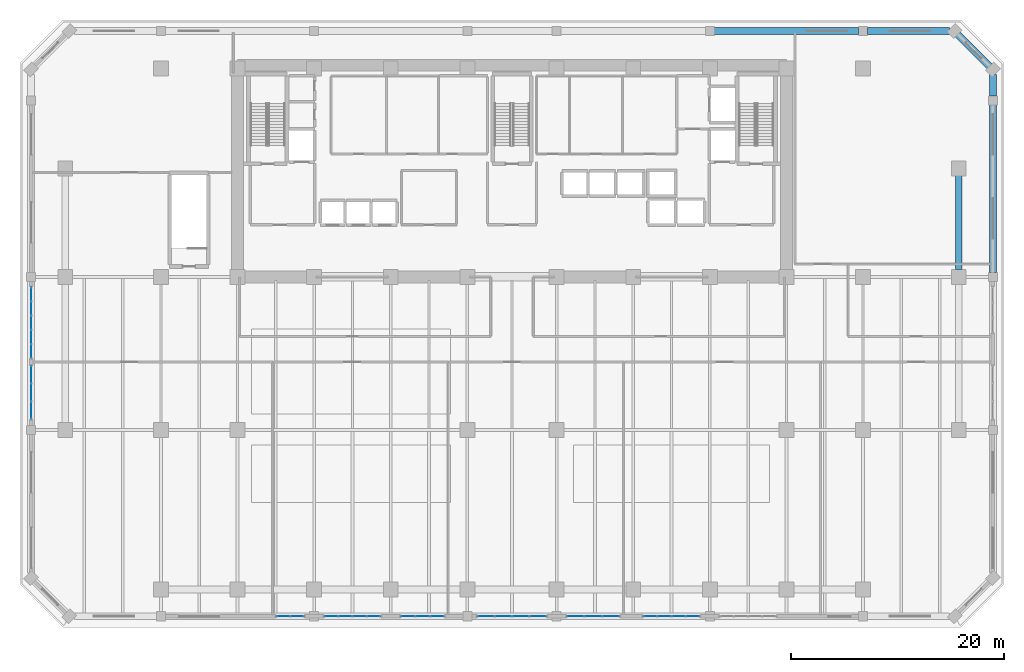
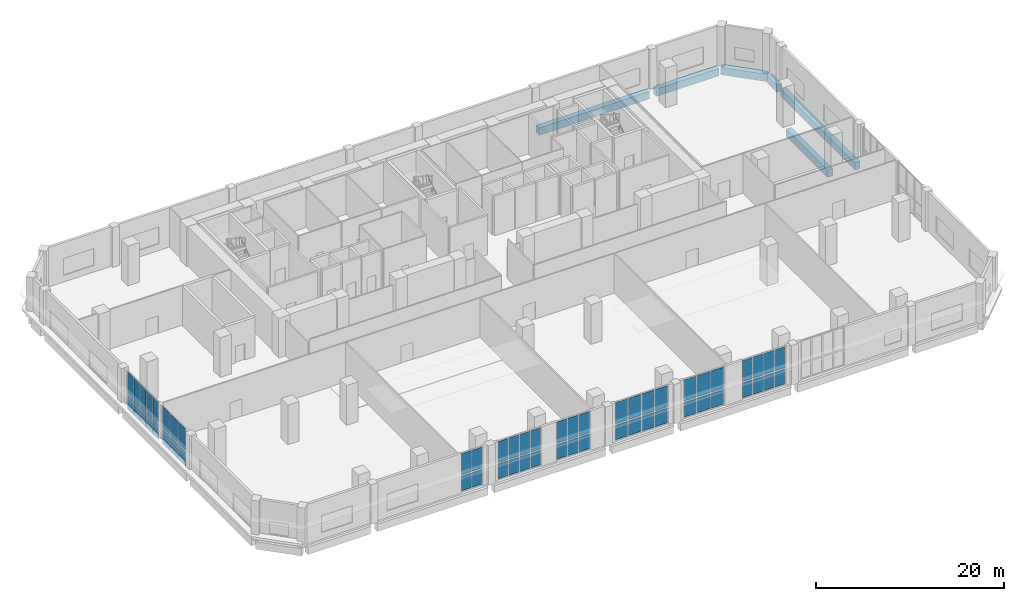
# One storey, part 16 of 25: 56 plates, 6 beams, 8 elements without a shape of their own.
"""IFC4 building model written with IfcOpenShell, lengths in metres."""

from ifc_helpers import new_model, si_unit, direction, frame, origin, origin_2d, place, context, subcontext, project, spatial, rectangle, extrude, material, layer, layer_set, material_profile, profile_set, type_object, element, aggregate, save


model = new_model("IFC4")

# Units and contexts
model_context = context("Model", 3, precision=1e-05, world=origin(), true_north=direction((0.0, 1.0)))
body_context = subcontext(model_context, "Body", "Model", "MODEL_VIEW")
ifc_project = project(units=[si_unit("LENGTHUNIT", "METRE"), si_unit("AREAUNIT", "SQUARE_METRE"), si_unit("VOLUMEUNIT", "CUBIC_METRE"), si_unit("PLANEANGLEUNIT", "RADIAN"), si_unit("MASSUNIT", "GRAM", prefix="KILO")], contexts=[model_context])

# Site, building, storey
site_placement = place(None, origin())
site = spatial("IfcSite", under=ifc_project, at=site_placement, CompositionType="ELEMENT")
building_placement = place(site_placement, origin())
building = spatial("IfcBuilding", under=site, at=building_placement, Name="Kaelvorn Grand Hotel", CompositionType="ELEMENT")
storey_placement = place(building_placement, frame((0.0, 0.0, 26.0)))
storey = spatial("IfcBuildingStorey", under=building, at=storey_placement, Name="L04", CompositionType="ELEMENT", Elevation=26.0)

# Beams
ifc_material_1 = material(Name="Concrete C60/75", Category="concrete")
ifc_material_profile = material_profile(ifc_material_1, rectangle(XDim=0.64990234375, YDim=0.949951171875, at=origin_2d()), Name="RC SPANDREL 650x950")
ifc_profile_set = profile_set([ifc_material_profile], Name="Concrete C60/75")
beam_type = type_object("IfcBeamType", Name="BM-SP-650x950-C60", PredefinedType="SPANDREL", material=ifc_profile_set)
beam_1_placement = place(storey_placement, frame((61.010009765625, 52.5, -0.794921875), z_axis=(1.0, 0.0, 0.0), x_axis=(0.0, 1.0, 0.0)))
element("IfcBeam", 1, at=beam_1_placement, inside=storey, type_object=beam_type, Name="L04 North Perimeter Spandrel 06", PredefinedType="SPANDREL", context=body_context, shape_type="SweptSolid", body=[
    extrude(rectangle(XDim=0.64990234375, YDim=0.949951171875, at=origin_2d()), origin(), (0.0, 0.0, 1.0), 13.580078125),
])
beam_2_placement = place(storey_placement, frame((75.409912109375, 52.5, -0.794921875), z_axis=(1.0, 0.0, 0.0), x_axis=(0.0, 1.0, 0.0)))
element("IfcBeam", 2, at=beam_2_placement, inside=storey, type_object=beam_type, Name="L04 North Perimeter Spandrel 07", PredefinedType="SPANDREL", context=body_context, shape_type="SweptSolid", body=[
    extrude(rectangle(XDim=0.64990234375, YDim=0.949951171875, at=origin_2d()), origin(), (0.0, 0.0, 1.0), 7.705078125),
])
beam_3_placement = place(storey_placement, frame((87.199951171875, 29.81005859375, -0.794921875), z_axis=(0.0, 1.0, 0.0), x_axis=(-1.0, 0.0, 0.0)))
element("IfcBeam", 3, at=beam_3_placement, inside=storey, type_object=beam_type, Name="L04 East Perimeter Spandrel 03", PredefinedType="SPANDREL", context=body_context, shape_type="SweptSolid", body=[
    extrude(rectangle(XDim=0.64990234375, YDim=0.949951171875, at=origin_2d()), origin(), (0.0, 0.0, 1.0), 15.780029296875),
])
beam_4_placement = place(storey_placement, frame((87.199951171875, 46.409912109375, -0.794921875), z_axis=(0.0, 1.0, 0.0), x_axis=(-1.0, 0.0, 0.0)))
element("IfcBeam", 4, at=beam_4_placement, inside=storey, type_object=beam_type, Name="L04 East Perimeter Spandrel 04", PredefinedType="SPANDREL", context=body_context, shape_type="SweptSolid", body=[
    extrude(rectangle(XDim=0.64990234375, YDim=0.949951171875, at=origin_2d()), origin(), (0.0, 0.0, 1.0), 2.005126953125),
])
beam_5_placement = place(storey_placement, frame((87.199951171875, 48.89990234375, -0.794921875), z_axis=(-0.707082803744, 0.707130757816, 0.0), x_axis=(-0.707130757816, -0.707082803744, 0.0)))
element("IfcBeam", 5, at=beam_5_placement, inside=storey, type_object=beam_type, Name="L04 Chamfer Spandrel Beam 2", PredefinedType="SPANDREL", context=body_context, shape_type="SweptSolid", body=[
    extrude(rectangle(XDim=0.64990234375, YDim=0.949951171875, at=origin_2d()), origin(), (0.0, 0.0, 1.0), 5.091064453125),
])
beam_6_placement = place(storey_placement, frame((84.0, 30.0849609375, -0.794921875), z_axis=(0.0, 1.0, 0.0), x_axis=(-1.0, 0.0, 0.0)))
element("IfcBeam", 6, at=beam_6_placement, inside=storey, type_object=beam_type, Name="L04 Tower Wing Girder TE 02", PredefinedType="SPANDREL", context=body_context, shape_type="SweptSolid", body=[
    extrude(rectangle(XDim=0.64990234375, YDim=0.949951171875, at=origin_2d()), origin(), (0.0, 0.0, 1.0), 8.830078125),
])

# Curtain wall, plates
ifc_material_2 = material(Name="Anodised Aluminium", Category="aluminium")
ifc_layer_1 = layer(ifc_material_2, 0.199951171875)
ifc_layer_set_1 = layer_set([ifc_layer_1], Name="Anodised Aluminium")
curtain_wall_type = type_object("IfcCurtainWallType", Name="CW-SYS2", PredefinedType="NOTDEFINED", material=ifc_layer_set_1)
curtain_wall_1_placement = place(storey_placement, origin())
curtain_wall_1 = element("IfcCurtainWall", 7, at=curtain_wall_1_placement, inside=storey, type_object=curtain_wall_type, Name="L04 Unitised Curtain Wall CW2 (CW-L04-S-01)", PredefinedType="NOTDEFINED")
ifc_material_3 = material(Name="Laminated Low-E Glass", Category="glass")
ifc_layer_2 = layer(ifc_material_3, 0.031982421875)
ifc_layer_set_2 = layer_set([ifc_layer_2], Name="Laminated Low-E Glass")
plate_type = type_object("IfcPlateType", Name="CW-SYS2-PAN", PredefinedType="CURTAIN_PANEL", material=ifc_layer_set_2)
plate_1_placement = place(storey_placement, frame((20.503662109375, -2.5, 0.150146484375), z_axis=(0.0, 0.0, 1.0), x_axis=(1.0, 0.0, 0.0)))
plate_1 = element("IfcPlate", 8, at=plate_1_placement, type_object=plate_type, Name="CW2 panel 1.1", PredefinedType="CURTAIN_PANEL", context=body_context, shape_type="SweptSolid", body=[
    extrude(rectangle(XDim=1.217529296875, YDim=0.031982421875, at=origin_2d()), origin(), (0.0, 0.0, 1.0), 1.92529296875),
])
plate_2_placement = place(storey_placement, frame((20.503662109375, -2.5, 2.225341796875), z_axis=(0.0, 0.0, 1.0), x_axis=(1.0, 0.0, 0.0)))
plate_2 = element("IfcPlate", 9, at=plate_2_placement, type_object=plate_type, Name="CW2 panel 1.2", PredefinedType="CURTAIN_PANEL", context=body_context, shape_type="SweptSolid", body=[
    extrude(rectangle(XDim=1.217529296875, YDim=0.031982421875, at=origin_2d()), origin(), (0.0, 0.0, 1.0), 2.74462890625),
])
plate_3_placement = place(storey_placement, frame((21.796142578125, -2.5, 0.150146484375), z_axis=(0.0, 0.0, 1.0), x_axis=(1.0, 0.0, 0.0)))
plate_3 = element("IfcPlate", 10, at=plate_3_placement, type_object=plate_type, Name="CW2 panel 2.1", PredefinedType="CURTAIN_PANEL", context=body_context, shape_type="SweptSolid", body=[
    extrude(rectangle(XDim=1.217529296875, YDim=0.031982421875, at=origin_2d()), origin(), (0.0, 0.0, 1.0), 1.92529296875),
])
plate_4_placement = place(storey_placement, frame((21.796142578125, -2.5, 2.225341796875), z_axis=(0.0, 0.0, 1.0), x_axis=(1.0, 0.0, 0.0)))
plate_4 = element("IfcPlate", 11, at=plate_4_placement, type_object=plate_type, Name="CW2 panel 2.2", PredefinedType="CURTAIN_PANEL", context=body_context, shape_type="SweptSolid", body=[
    extrude(rectangle(XDim=1.217529296875, YDim=0.031982421875, at=origin_2d()), origin(), (0.0, 0.0, 1.0), 2.74462890625),
])
aggregate(curtain_wall_1, [plate_1, plate_2, plate_3, plate_4])

curtain_wall_2_placement = place(storey_placement, origin())
curtain_wall_2 = element("IfcCurtainWall", 12, at=curtain_wall_2_placement, inside=storey, type_object=curtain_wall_type, Name="L04 Unitised Curtain Wall CW2 (CW-L04-S-02)", PredefinedType="NOTDEFINED")
plate_5_placement = place(storey_placement, frame((25.0087890625, -2.5, 0.150146484375), z_axis=(0.0, 0.0, 1.0), x_axis=(1.0, 0.0, 0.0)))
plate_5 = element("IfcPlate", 13, at=plate_5_placement, type_object=plate_type, Name="CW2 panel 1.1", PredefinedType="CURTAIN_PANEL", context=body_context, shape_type="SweptSolid", body=[
    extrude(rectangle(XDim=1.2275390625, YDim=0.031982421875, at=origin_2d()), origin(), (0.0, 0.0, 1.0), 1.92529296875),
])
plate_6_placement = place(storey_placement, frame((25.0087890625, -2.5, 2.225341796875), z_axis=(0.0, 0.0, 1.0), x_axis=(1.0, 0.0, 0.0)))
plate_6 = element("IfcPlate", 14, at=plate_6_placement, type_object=plate_type, Name="CW2 panel 1.2", PredefinedType="CURTAIN_PANEL", context=body_context, shape_type="SweptSolid", body=[
    extrude(rectangle(XDim=1.2275390625, YDim=0.031982421875, at=origin_2d()), origin(), (0.0, 0.0, 1.0), 2.74462890625),
])
plate_7_placement = place(storey_placement, frame((26.330078125, -2.5, 0.150146484375), z_axis=(0.0, 0.0, 1.0), x_axis=(1.0, 0.0, 0.0)))
plate_7 = element("IfcPlate", 15, at=plate_7_placement, type_object=plate_type, Name="CW2 panel 2.1", PredefinedType="CURTAIN_PANEL", context=body_context, shape_type="SweptSolid", body=[
    extrude(rectangle(XDim=1.264892578125, YDim=0.031982421875, at=origin_2d()), origin(), (0.0, 0.0, 1.0), 1.92529296875),
])
plate_8_placement = place(storey_placement, frame((26.330078125, -2.5, 2.225341796875), z_axis=(0.0, 0.0, 1.0), x_axis=(1.0, 0.0, 0.0)))
plate_8 = element("IfcPlate", 16, at=plate_8_placement, type_object=plate_type, Name="CW2 panel 2.2", PredefinedType="CURTAIN_PANEL", context=body_context, shape_type="SweptSolid", body=[
    extrude(rectangle(XDim=1.264892578125, YDim=0.031982421875, at=origin_2d()), origin(), (0.0, 0.0, 1.0), 2.74462890625),
])
plate_9_placement = place(storey_placement, frame((27.669921875, -2.5, 0.150146484375), z_axis=(0.0, 0.0, 1.0), x_axis=(1.0, 0.0, 0.0)))
plate_9 = element("IfcPlate", 17, at=plate_9_placement, type_object=plate_type, Name="CW2 panel 3.1", PredefinedType="CURTAIN_PANEL", context=body_context, shape_type="SweptSolid", body=[
    extrude(rectangle(XDim=1.264892578125, YDim=0.031982421875, at=origin_2d()), origin(), (0.0, 0.0, 1.0), 1.92529296875),
])
plate_10_placement = place(storey_placement, frame((27.669921875, -2.5, 2.225341796875), z_axis=(0.0, 0.0, 1.0), x_axis=(1.0, 0.0, 0.0)))
plate_10 = element("IfcPlate", 18, at=plate_10_placement, type_object=plate_type, Name="CW2 panel 3.2", PredefinedType="CURTAIN_PANEL", context=body_context, shape_type="SweptSolid", body=[
    extrude(rectangle(XDim=1.264892578125, YDim=0.031982421875, at=origin_2d()), origin(), (0.0, 0.0, 1.0), 2.74462890625),
])
plate_11_placement = place(storey_placement, frame((28.9912109375, -2.5, 0.150146484375), z_axis=(0.0, 0.0, 1.0), x_axis=(1.0, 0.0, 0.0)))
plate_11 = element("IfcPlate", 19, at=plate_11_placement, type_object=plate_type, Name="CW2 panel 4.1", PredefinedType="CURTAIN_PANEL", context=body_context, shape_type="SweptSolid", body=[
    extrude(rectangle(XDim=1.2275390625, YDim=0.031982421875, at=origin_2d()), origin(), (0.0, 0.0, 1.0), 1.92529296875),
])
plate_12_placement = place(storey_placement, frame((28.9912109375, -2.5, 2.225341796875), z_axis=(0.0, 0.0, 1.0), x_axis=(1.0, 0.0, 0.0)))
plate_12 = element("IfcPlate", 20, at=plate_12_placement, type_object=plate_type, Name="CW2 panel 4.2", PredefinedType="CURTAIN_PANEL", context=body_context, shape_type="SweptSolid", body=[
    extrude(rectangle(XDim=1.2275390625, YDim=0.031982421875, at=origin_2d()), origin(), (0.0, 0.0, 1.0), 2.74462890625),
])
aggregate(curtain_wall_2, [plate_5, plate_6, plate_7, plate_8, plate_9, plate_10, plate_11, plate_12])

curtain_wall_3_placement = place(storey_placement, origin())
curtain_wall_3 = element("IfcCurtainWall", 21, at=curtain_wall_3_placement, inside=storey, type_object=curtain_wall_type, Name="L04 Unitised Curtain Wall CW2 (CW-L04-S-03)", PredefinedType="NOTDEFINED")
plate_13_placement = place(storey_placement, frame((32.232177734375, -2.5, 0.150146484375), z_axis=(0.0, 0.0, 1.0), x_axis=(1.0, 0.0, 0.0)))
plate_13 = element("IfcPlate", 22, at=plate_13_placement, type_object=plate_type, Name="CW2 panel 1.1", PredefinedType="CURTAIN_PANEL", context=body_context, shape_type="SweptSolid", body=[
    extrude(rectangle(XDim=1.274169921875, YDim=0.031982421875, at=origin_2d()), origin(), (0.0, 0.0, 1.0), 1.92529296875),
])
plate_14_placement = place(storey_placement, frame((32.232177734375, -2.5, 2.225341796875), z_axis=(0.0, 0.0, 1.0), x_axis=(1.0, 0.0, 0.0)))
plate_14 = element("IfcPlate", 23, at=plate_14_placement, type_object=plate_type, Name="CW2 panel 1.2", PredefinedType="CURTAIN_PANEL", context=body_context, shape_type="SweptSolid", body=[
    extrude(rectangle(XDim=1.274169921875, YDim=0.031982421875, at=origin_2d()), origin(), (0.0, 0.0, 1.0), 2.74462890625),
])
plate_15_placement = place(storey_placement, frame((33.60009765625, -2.5, 0.150146484375), z_axis=(0.0, 0.0, 1.0), x_axis=(1.0, 0.0, 0.0)))
plate_15 = element("IfcPlate", 24, at=plate_15_placement, type_object=plate_type, Name="CW2 panel 2.1", PredefinedType="CURTAIN_PANEL", context=body_context, shape_type="SweptSolid", body=[
    extrude(rectangle(XDim=1.311767578125, YDim=0.031982421875, at=origin_2d()), origin(), (0.0, 0.0, 1.0), 1.92529296875),
])
plate_16_placement = place(storey_placement, frame((33.60009765625, -2.5, 2.225341796875), z_axis=(0.0, 0.0, 1.0), x_axis=(1.0, 0.0, 0.0)))
plate_16 = element("IfcPlate", 25, at=plate_16_placement, type_object=plate_type, Name="CW2 panel 2.2", PredefinedType="CURTAIN_PANEL", context=body_context, shape_type="SweptSolid", body=[
    extrude(rectangle(XDim=1.311767578125, YDim=0.031982421875, at=origin_2d()), origin(), (0.0, 0.0, 1.0), 2.74462890625),
])
plate_17_placement = place(storey_placement, frame((34.968017578125, -2.5, 0.150146484375), z_axis=(0.0, 0.0, 1.0), x_axis=(1.0, 0.0, 0.0)))
plate_17 = element("IfcPlate", 26, at=plate_17_placement, type_object=plate_type, Name="CW2 panel 3.1", PredefinedType="CURTAIN_PANEL", context=body_context, shape_type="SweptSolid", body=[
    extrude(rectangle(XDim=1.274169921875, YDim=0.031982421875, at=origin_2d()), origin(), (0.0, 0.0, 1.0), 1.92529296875),
])
plate_18_placement = place(storey_placement, frame((34.968017578125, -2.5, 2.225341796875), z_axis=(0.0, 0.0, 1.0), x_axis=(1.0, 0.0, 0.0)))
plate_18 = element("IfcPlate", 27, at=plate_18_placement, type_object=plate_type, Name="CW2 panel 3.2", PredefinedType="CURTAIN_PANEL", context=body_context, shape_type="SweptSolid", body=[
    extrude(rectangle(XDim=1.274169921875, YDim=0.031982421875, at=origin_2d()), origin(), (0.0, 0.0, 1.0), 2.74462890625),
])
aggregate(curtain_wall_3, [plate_13, plate_14, plate_15, plate_16, plate_17, plate_18])

curtain_wall_4_placement = place(storey_placement, origin())
curtain_wall_4 = element("IfcCurtainWall", 28, at=curtain_wall_4_placement, inside=storey, type_object=curtain_wall_type, Name="L04 Unitised Curtain Wall CW2 (CW-L04-S-04)", PredefinedType="NOTDEFINED")
plate_19_placement = place(storey_placement, frame((39.558837890625, -2.5, 0.150146484375), z_axis=(0.0, 0.0, 1.0), x_axis=(1.0, 0.0, 0.0)))
plate_19 = element("IfcPlate", 29, at=plate_19_placement, type_object=plate_type, Name="CW2 panel 1.1", PredefinedType="CURTAIN_PANEL", context=body_context, shape_type="SweptSolid", body=[
    extrude(rectangle(XDim=1.527587890625, YDim=0.031982421875, at=origin_2d()), origin(), (0.0, 0.0, 1.0), 1.92529296875),
])
plate_20_placement = place(storey_placement, frame((39.558837890625, -2.5, 2.225341796875), z_axis=(0.0, 0.0, 1.0), x_axis=(1.0, 0.0, 0.0)))
plate_20 = element("IfcPlate", 30, at=plate_20_placement, type_object=plate_type, Name="CW2 panel 1.2", PredefinedType="CURTAIN_PANEL", context=body_context, shape_type="SweptSolid", body=[
    extrude(rectangle(XDim=1.527587890625, YDim=0.031982421875, at=origin_2d()), origin(), (0.0, 0.0, 1.0), 2.74462890625),
])
plate_21_placement = place(storey_placement, frame((41.179931640625, -2.5, 0.150146484375), z_axis=(0.0, 0.0, 1.0), x_axis=(1.0, 0.0, 0.0)))
plate_21 = element("IfcPlate", 31, at=plate_21_placement, type_object=plate_type, Name="CW2 panel 2.1", PredefinedType="CURTAIN_PANEL", context=body_context, shape_type="SweptSolid", body=[
    extrude(rectangle(XDim=1.56494140625, YDim=0.031982421875, at=origin_2d()), origin(), (0.0, 0.0, 1.0), 1.92529296875),
])
plate_22_placement = place(storey_placement, frame((41.179931640625, -2.5, 2.225341796875), z_axis=(0.0, 0.0, 1.0), x_axis=(1.0, 0.0, 0.0)))
plate_22 = element("IfcPlate", 32, at=plate_22_placement, type_object=plate_type, Name="CW2 panel 2.2", PredefinedType="CURTAIN_PANEL", context=body_context, shape_type="SweptSolid", body=[
    extrude(rectangle(XDim=1.56494140625, YDim=0.031982421875, at=origin_2d()), origin(), (0.0, 0.0, 1.0), 2.74462890625),
])
plate_23_placement = place(storey_placement, frame((42.820068359375, -2.5, 0.150146484375), z_axis=(0.0, 0.0, 1.0), x_axis=(1.0, 0.0, 0.0)))
plate_23 = element("IfcPlate", 33, at=plate_23_placement, type_object=plate_type, Name="CW2 panel 3.1", PredefinedType="CURTAIN_PANEL", context=body_context, shape_type="SweptSolid", body=[
    extrude(rectangle(XDim=1.56494140625, YDim=0.031982421875, at=origin_2d()), origin(), (0.0, 0.0, 1.0), 1.92529296875),
])
plate_24_placement = place(storey_placement, frame((42.820068359375, -2.5, 2.225341796875), z_axis=(0.0, 0.0, 1.0), x_axis=(1.0, 0.0, 0.0)))
plate_24 = element("IfcPlate", 34, at=plate_24_placement, type_object=plate_type, Name="CW2 panel 3.2", PredefinedType="CURTAIN_PANEL", context=body_context, shape_type="SweptSolid", body=[
    extrude(rectangle(XDim=1.56494140625, YDim=0.031982421875, at=origin_2d()), origin(), (0.0, 0.0, 1.0), 2.74462890625),
])
plate_25_placement = place(storey_placement, frame((44.441162109375, -2.5, 0.150146484375), z_axis=(0.0, 0.0, 1.0), x_axis=(1.0, 0.0, 0.0)))
plate_25 = element("IfcPlate", 35, at=plate_25_placement, type_object=plate_type, Name="CW2 panel 4.1", PredefinedType="CURTAIN_PANEL", context=body_context, shape_type="SweptSolid", body=[
    extrude(rectangle(XDim=1.527587890625, YDim=0.031982421875, at=origin_2d()), origin(), (0.0, 0.0, 1.0), 1.92529296875),
])
plate_26_placement = place(storey_placement, frame((44.441162109375, -2.5, 2.225341796875), z_axis=(0.0, 0.0, 1.0), x_axis=(1.0, 0.0, 0.0)))
plate_26 = element("IfcPlate", 36, at=plate_26_placement, type_object=plate_type, Name="CW2 panel 4.2", PredefinedType="CURTAIN_PANEL", context=body_context, shape_type="SweptSolid", body=[
    extrude(rectangle(XDim=1.527587890625, YDim=0.031982421875, at=origin_2d()), origin(), (0.0, 0.0, 1.0), 2.74462890625),
])
aggregate(curtain_wall_4, [plate_19, plate_20, plate_21, plate_22, plate_23, plate_24, plate_25, plate_26])

curtain_wall_5_placement = place(storey_placement, origin())
curtain_wall_5 = element("IfcCurtainWall", 37, at=curtain_wall_5_placement, inside=storey, type_object=curtain_wall_type, Name="L04 Unitised Curtain Wall CW2 (CW-L04-S-05)", PredefinedType="NOTDEFINED")
plate_27_placement = place(storey_placement, frame((47.982177734375, -2.5, 0.150146484375), z_axis=(0.0, 0.0, 1.0), x_axis=(1.0, 0.0, 0.0)))
plate_27 = element("IfcPlate", 38, at=plate_27_placement, type_object=plate_type, Name="CW2 panel 1.1", PredefinedType="CURTAIN_PANEL", context=body_context, shape_type="SweptSolid", body=[
    extrude(rectangle(XDim=1.57421875, YDim=0.031982421875, at=origin_2d()), origin(), (0.0, 0.0, 1.0), 1.92529296875),
])
plate_28_placement = place(storey_placement, frame((47.982177734375, -2.5, 2.225341796875), z_axis=(0.0, 0.0, 1.0), x_axis=(1.0, 0.0, 0.0)))
plate_28 = element("IfcPlate", 39, at=plate_28_placement, type_object=plate_type, Name="CW2 panel 1.2", PredefinedType="CURTAIN_PANEL", context=body_context, shape_type="SweptSolid", body=[
    extrude(rectangle(XDim=1.57421875, YDim=0.031982421875, at=origin_2d()), origin(), (0.0, 0.0, 1.0), 2.74462890625),
])
plate_29_placement = place(storey_placement, frame((49.64990234375, -2.5, 0.150146484375), z_axis=(0.0, 0.0, 1.0), x_axis=(1.0, 0.0, 0.0)))
plate_29 = element("IfcPlate", 40, at=plate_29_placement, type_object=plate_type, Name="CW2 panel 2.1", PredefinedType="CURTAIN_PANEL", context=body_context, shape_type="SweptSolid", body=[
    extrude(rectangle(XDim=1.611572265625, YDim=0.031982421875, at=origin_2d()), origin(), (0.0, 0.0, 1.0), 1.92529296875),
])
plate_30_placement = place(storey_placement, frame((49.64990234375, -2.5, 2.225341796875), z_axis=(0.0, 0.0, 1.0), x_axis=(1.0, 0.0, 0.0)))
plate_30 = element("IfcPlate", 41, at=plate_30_placement, type_object=plate_type, Name="CW2 panel 2.2", PredefinedType="CURTAIN_PANEL", context=body_context, shape_type="SweptSolid", body=[
    extrude(rectangle(XDim=1.611572265625, YDim=0.031982421875, at=origin_2d()), origin(), (0.0, 0.0, 1.0), 2.74462890625),
])
plate_31_placement = place(storey_placement, frame((51.31787109375, -2.5, 0.150146484375), z_axis=(0.0, 0.0, 1.0), x_axis=(1.0, 0.0, 0.0)))
plate_31 = element("IfcPlate", 42, at=plate_31_placement, type_object=plate_type, Name="CW2 panel 3.1", PredefinedType="CURTAIN_PANEL", context=body_context, shape_type="SweptSolid", body=[
    extrude(rectangle(XDim=1.57421875, YDim=0.031982421875, at=origin_2d()), origin(), (0.0, 0.0, 1.0), 1.92529296875),
])
plate_32_placement = place(storey_placement, frame((51.31787109375, -2.5, 2.225341796875), z_axis=(0.0, 0.0, 1.0), x_axis=(1.0, 0.0, 0.0)))
plate_32 = element("IfcPlate", 43, at=plate_32_placement, type_object=plate_type, Name="CW2 panel 3.2", PredefinedType="CURTAIN_PANEL", context=body_context, shape_type="SweptSolid", body=[
    extrude(rectangle(XDim=1.57421875, YDim=0.031982421875, at=origin_2d()), origin(), (0.0, 0.0, 1.0), 2.74462890625),
])
aggregate(curtain_wall_5, [plate_27, plate_28, plate_29, plate_30, plate_31, plate_32])

curtain_wall_6_placement = place(storey_placement, origin())
curtain_wall_6 = element("IfcCurtainWall", 44, at=curtain_wall_6_placement, inside=storey, type_object=curtain_wall_type, Name="L04 Unitised Curtain Wall CW2 (CW-L04-S-06)", PredefinedType="NOTDEFINED")
plate_33_placement = place(storey_placement, frame((55.0087890625, -2.5, 0.150146484375), z_axis=(0.0, 0.0, 1.0), x_axis=(1.0, 0.0, 0.0)))
plate_33 = element("IfcPlate", 45, at=plate_33_placement, type_object=plate_type, Name="CW2 panel 1.1", PredefinedType="CURTAIN_PANEL", context=body_context, shape_type="SweptSolid", body=[
    extrude(rectangle(XDim=1.2275390625, YDim=0.031982421875, at=origin_2d()), origin(), (0.0, 0.0, 1.0), 1.92529296875),
])
plate_34_placement = place(storey_placement, frame((55.0087890625, -2.5, 2.225341796875), z_axis=(0.0, 0.0, 1.0), x_axis=(1.0, 0.0, 0.0)))
plate_34 = element("IfcPlate", 46, at=plate_34_placement, type_object=plate_type, Name="CW2 panel 1.2", PredefinedType="CURTAIN_PANEL", context=body_context, shape_type="SweptSolid", body=[
    extrude(rectangle(XDim=1.2275390625, YDim=0.031982421875, at=origin_2d()), origin(), (0.0, 0.0, 1.0), 2.74462890625),
])
plate_35_placement = place(storey_placement, frame((56.330078125, -2.5, 0.150146484375), z_axis=(0.0, 0.0, 1.0), x_axis=(1.0, 0.0, 0.0)))
plate_35 = element("IfcPlate", 47, at=plate_35_placement, type_object=plate_type, Name="CW2 panel 2.1", PredefinedType="CURTAIN_PANEL", context=body_context, shape_type="SweptSolid", body=[
    extrude(rectangle(XDim=1.264892578125, YDim=0.031982421875, at=origin_2d()), origin(), (0.0, 0.0, 1.0), 1.92529296875),
])
plate_36_placement = place(storey_placement, frame((56.330078125, -2.5, 2.225341796875), z_axis=(0.0, 0.0, 1.0), x_axis=(1.0, 0.0, 0.0)))
plate_36 = element("IfcPlate", 48, at=plate_36_placement, type_object=plate_type, Name="CW2 panel 2.2", PredefinedType="CURTAIN_PANEL", context=body_context, shape_type="SweptSolid", body=[
    extrude(rectangle(XDim=1.264892578125, YDim=0.031982421875, at=origin_2d()), origin(), (0.0, 0.0, 1.0), 2.74462890625),
])
plate_37_placement = place(storey_placement, frame((57.669921875, -2.5, 0.150146484375), z_axis=(0.0, 0.0, 1.0), x_axis=(1.0, 0.0, 0.0)))
plate_37 = element("IfcPlate", 49, at=plate_37_placement, type_object=plate_type, Name="CW2 panel 3.1", PredefinedType="CURTAIN_PANEL", context=body_context, shape_type="SweptSolid", body=[
    extrude(rectangle(XDim=1.264892578125, YDim=0.031982421875, at=origin_2d()), origin(), (0.0, 0.0, 1.0), 1.92529296875),
])
plate_38_placement = place(storey_placement, frame((57.669921875, -2.5, 2.225341796875), z_axis=(0.0, 0.0, 1.0), x_axis=(1.0, 0.0, 0.0)))
plate_38 = element("IfcPlate", 50, at=plate_38_placement, type_object=plate_type, Name="CW2 panel 3.2", PredefinedType="CURTAIN_PANEL", context=body_context, shape_type="SweptSolid", body=[
    extrude(rectangle(XDim=1.264892578125, YDim=0.031982421875, at=origin_2d()), origin(), (0.0, 0.0, 1.0), 2.74462890625),
])
plate_39_placement = place(storey_placement, frame((58.9912109375, -2.5, 0.150146484375), z_axis=(0.0, 0.0, 1.0), x_axis=(1.0, 0.0, 0.0)))
plate_39 = element("IfcPlate", 51, at=plate_39_placement, type_object=plate_type, Name="CW2 panel 4.1", PredefinedType="CURTAIN_PANEL", context=body_context, shape_type="SweptSolid", body=[
    extrude(rectangle(XDim=1.2275390625, YDim=0.031982421875, at=origin_2d()), origin(), (0.0, 0.0, 1.0), 1.92529296875),
])
plate_40_placement = place(storey_placement, frame((58.9912109375, -2.5, 2.225341796875), z_axis=(0.0, 0.0, 1.0), x_axis=(1.0, 0.0, 0.0)))
plate_40 = element("IfcPlate", 52, at=plate_40_placement, type_object=plate_type, Name="CW2 panel 4.2", PredefinedType="CURTAIN_PANEL", context=body_context, shape_type="SweptSolid", body=[
    extrude(rectangle(XDim=1.2275390625, YDim=0.031982421875, at=origin_2d()), origin(), (0.0, 0.0, 1.0), 2.74462890625),
])
aggregate(curtain_wall_6, [plate_33, plate_34, plate_35, plate_36, plate_37, plate_38, plate_39, plate_40])

curtain_wall_7_placement = place(storey_placement, origin())
curtain_wall_7 = element("IfcCurtainWall", 53, at=curtain_wall_7_placement, inside=storey, type_object=curtain_wall_type, Name="L04 Unitised Curtain Wall CW2 (CW-L04-W-02)", PredefinedType="NOTDEFINED")
plate_41_placement = place(storey_placement, frame((-3.199951171875, 27.78515625, 0.150146484375), z_axis=(0.0, 0.0, 1.0), x_axis=(0.0, -1.0, 0.0)))
plate_41 = element("IfcPlate", 54, at=plate_41_placement, type_object=plate_type, Name="CW2 panel 1.1", PredefinedType="CURTAIN_PANEL", context=body_context, shape_type="SweptSolid", body=[
    extrude(rectangle(XDim=1.239501953125, YDim=0.031982421875, at=origin_2d()), origin(), (0.0, 0.0, 1.0), 1.92529296875),
])
plate_42_placement = place(storey_placement, frame((-3.199951171875, 27.78515625, 2.225341796875), z_axis=(0.0, 0.0, 1.0), x_axis=(0.0, -1.0, 0.0)))
plate_42 = element("IfcPlate", 55, at=plate_42_placement, type_object=plate_type, Name="CW2 panel 1.2", PredefinedType="CURTAIN_PANEL", context=body_context, shape_type="SweptSolid", body=[
    extrude(rectangle(XDim=1.239501953125, YDim=0.031982421875, at=origin_2d()), origin(), (0.0, 0.0, 1.0), 2.74462890625),
])
plate_43_placement = place(storey_placement, frame((-3.199951171875, 26.451904296875, 0.150146484375), z_axis=(0.0, 0.0, 1.0), x_axis=(0.0, -1.0, 0.0)))
plate_43 = element("IfcPlate", 56, at=plate_43_placement, type_object=plate_type, Name="CW2 panel 2.1", PredefinedType="CURTAIN_PANEL", context=body_context, shape_type="SweptSolid", body=[
    extrude(rectangle(XDim=1.277099609375, YDim=0.031982421875, at=origin_2d()), origin(), (0.0, 0.0, 1.0), 1.92529296875),
])
plate_44_placement = place(storey_placement, frame((-3.199951171875, 26.451904296875, 2.225341796875), z_axis=(0.0, 0.0, 1.0), x_axis=(0.0, -1.0, 0.0)))
plate_44 = element("IfcPlate", 57, at=plate_44_placement, type_object=plate_type, Name="CW2 panel 2.2", PredefinedType="CURTAIN_PANEL", context=body_context, shape_type="SweptSolid", body=[
    extrude(rectangle(XDim=1.277099609375, YDim=0.031982421875, at=origin_2d()), origin(), (0.0, 0.0, 1.0), 2.74462890625),
])
plate_45_placement = place(storey_placement, frame((-3.199951171875, 25.10009765625, 0.150146484375), z_axis=(0.0, 0.0, 1.0), x_axis=(0.0, -1.0, 0.0)))
plate_45 = element("IfcPlate", 58, at=plate_45_placement, type_object=plate_type, Name="CW2 panel 3.1", PredefinedType="CURTAIN_PANEL", context=body_context, shape_type="SweptSolid", body=[
    extrude(rectangle(XDim=1.277099609375, YDim=0.031982421875, at=origin_2d()), origin(), (0.0, 0.0, 1.0), 1.92529296875),
])
plate_46_placement = place(storey_placement, frame((-3.199951171875, 25.10009765625, 2.225341796875), z_axis=(0.0, 0.0, 1.0), x_axis=(0.0, -1.0, 0.0)))
plate_46 = element("IfcPlate", 59, at=plate_46_placement, type_object=plate_type, Name="CW2 panel 3.2", PredefinedType="CURTAIN_PANEL", context=body_context, shape_type="SweptSolid", body=[
    extrude(rectangle(XDim=1.277099609375, YDim=0.031982421875, at=origin_2d()), origin(), (0.0, 0.0, 1.0), 2.74462890625),
])
plate_47_placement = place(storey_placement, frame((-3.199951171875, 23.748046875, 0.150146484375), z_axis=(0.0, 0.0, 1.0), x_axis=(0.0, -1.0, 0.0)))
plate_47 = element("IfcPlate", 60, at=plate_47_placement, type_object=plate_type, Name="CW2 panel 4.1", PredefinedType="CURTAIN_PANEL", context=body_context, shape_type="SweptSolid", body=[
    extrude(rectangle(XDim=1.277099609375, YDim=0.031982421875, at=origin_2d()), origin(), (0.0, 0.0, 1.0), 1.92529296875),
])
plate_48_placement = place(storey_placement, frame((-3.199951171875, 23.748046875, 2.225341796875), z_axis=(0.0, 0.0, 1.0), x_axis=(0.0, -1.0, 0.0)))
plate_48 = element("IfcPlate", 61, at=plate_48_placement, type_object=plate_type, Name="CW2 panel 4.2", PredefinedType="CURTAIN_PANEL", context=body_context, shape_type="SweptSolid", body=[
    extrude(rectangle(XDim=1.277099609375, YDim=0.031982421875, at=origin_2d()), origin(), (0.0, 0.0, 1.0), 2.74462890625),
])
plate_49_placement = place(storey_placement, frame((-3.199951171875, 22.414794921875, 0.150146484375), z_axis=(0.0, 0.0, 1.0), x_axis=(0.0, -1.0, 0.0)))
plate_49 = element("IfcPlate", 62, at=plate_49_placement, type_object=plate_type, Name="CW2 panel 5.1", PredefinedType="CURTAIN_PANEL", context=body_context, shape_type="SweptSolid", body=[
    extrude(rectangle(XDim=1.239501953125, YDim=0.031982421875, at=origin_2d()), origin(), (0.0, 0.0, 1.0), 1.92529296875),
])
plate_50_placement = place(storey_placement, frame((-3.199951171875, 22.414794921875, 2.225341796875), z_axis=(0.0, 0.0, 1.0), x_axis=(0.0, -1.0, 0.0)))
plate_50 = element("IfcPlate", 63, at=plate_50_placement, type_object=plate_type, Name="CW2 panel 5.2", PredefinedType="CURTAIN_PANEL", context=body_context, shape_type="SweptSolid", body=[
    extrude(rectangle(XDim=1.239501953125, YDim=0.031982421875, at=origin_2d()), origin(), (0.0, 0.0, 1.0), 2.74462890625),
])
aggregate(curtain_wall_7, [plate_41, plate_42, plate_43, plate_44, plate_45, plate_46, plate_47, plate_48, plate_49, plate_50])

curtain_wall_8_placement = place(storey_placement, origin())
curtain_wall_8 = element("IfcCurtainWall", 64, at=curtain_wall_8_placement, inside=storey, type_object=curtain_wall_type, Name="L04 Unitised Curtain Wall CW2 (CW-L04-W-01)", PredefinedType="NOTDEFINED")
plate_51_placement = place(storey_placement, frame((-3.199951171875, 20.214599609375, 0.150146484375), z_axis=(0.0, 0.0, 1.0), x_axis=(0.0, -1.0, 0.0)))
plate_51 = element("IfcPlate", 65, at=plate_51_placement, type_object=plate_type, Name="CW2 panel 1.1", PredefinedType="CURTAIN_PANEL", context=body_context, shape_type="SweptSolid", body=[
    extrude(rectangle(XDim=1.580810546875, YDim=0.031982421875, at=origin_2d()), origin(), (0.0, 0.0, 1.0), 1.92529296875),
])
plate_52_placement = place(storey_placement, frame((-3.199951171875, 20.214599609375, 2.225341796875), z_axis=(0.0, 0.0, 1.0), x_axis=(0.0, -1.0, 0.0)))
plate_52 = element("IfcPlate", 66, at=plate_52_placement, type_object=plate_type, Name="CW2 panel 1.2", PredefinedType="CURTAIN_PANEL", context=body_context, shape_type="SweptSolid", body=[
    extrude(rectangle(XDim=1.580810546875, YDim=0.031982421875, at=origin_2d()), origin(), (0.0, 0.0, 1.0), 2.74462890625),
])
plate_53_placement = place(storey_placement, frame((-3.199951171875, 18.5400390625, 0.150146484375), z_axis=(0.0, 0.0, 1.0), x_axis=(0.0, -1.0, 0.0)))
plate_53 = element("IfcPlate", 67, at=plate_53_placement, type_object=plate_type, Name="CW2 panel 2.1", PredefinedType="CURTAIN_PANEL", context=body_context, shape_type="SweptSolid", body=[
    extrude(rectangle(XDim=1.618408203125, YDim=0.031982421875, at=origin_2d()), origin(), (0.0, 0.0, 1.0), 1.92529296875),
])
plate_54_placement = place(storey_placement, frame((-3.199951171875, 18.5400390625, 2.225341796875), z_axis=(0.0, 0.0, 1.0), x_axis=(0.0, -1.0, 0.0)))
plate_54 = element("IfcPlate", 68, at=plate_54_placement, type_object=plate_type, Name="CW2 panel 2.2", PredefinedType="CURTAIN_PANEL", context=body_context, shape_type="SweptSolid", body=[
    extrude(rectangle(XDim=1.618408203125, YDim=0.031982421875, at=origin_2d()), origin(), (0.0, 0.0, 1.0), 2.74462890625),
])
plate_55_placement = place(storey_placement, frame((-3.199951171875, 16.865478515625, 0.150146484375), z_axis=(0.0, 0.0, 1.0), x_axis=(0.0, -1.0, 0.0)))
plate_55 = element("IfcPlate", 69, at=plate_55_placement, type_object=plate_type, Name="CW2 panel 3.1", PredefinedType="CURTAIN_PANEL", context=body_context, shape_type="SweptSolid", body=[
    extrude(rectangle(XDim=1.580810546875, YDim=0.031982421875, at=origin_2d()), origin(), (0.0, 0.0, 1.0), 1.92529296875),
])
plate_56_placement = place(storey_placement, frame((-3.199951171875, 16.865478515625, 2.225341796875), z_axis=(0.0, 0.0, 1.0), x_axis=(0.0, -1.0, 0.0)))
plate_56 = element("IfcPlate", 70, at=plate_56_placement, type_object=plate_type, Name="CW2 panel 3.2", PredefinedType="CURTAIN_PANEL", context=body_context, shape_type="SweptSolid", body=[
    extrude(rectangle(XDim=1.580810546875, YDim=0.031982421875, at=origin_2d()), origin(), (0.0, 0.0, 1.0), 2.74462890625),
])
aggregate(curtain_wall_8, [plate_51, plate_52, plate_53, plate_54, plate_55, plate_56])

save(model, "model.ifc")
